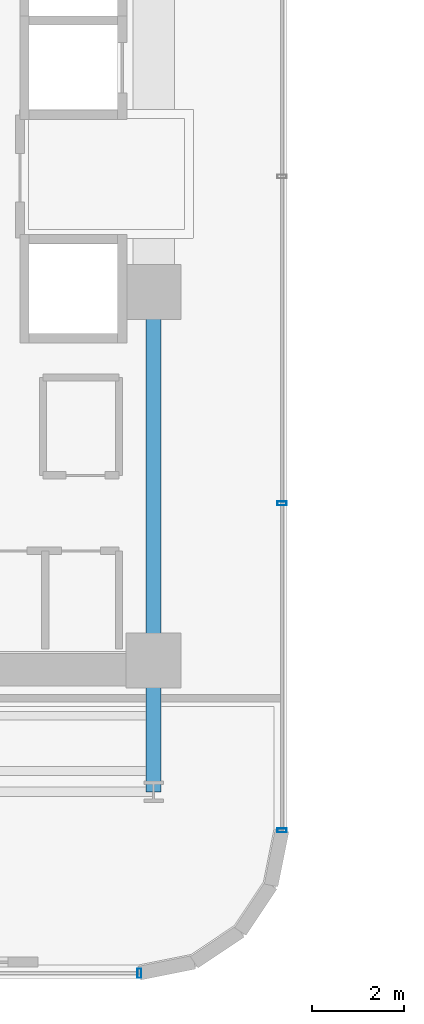
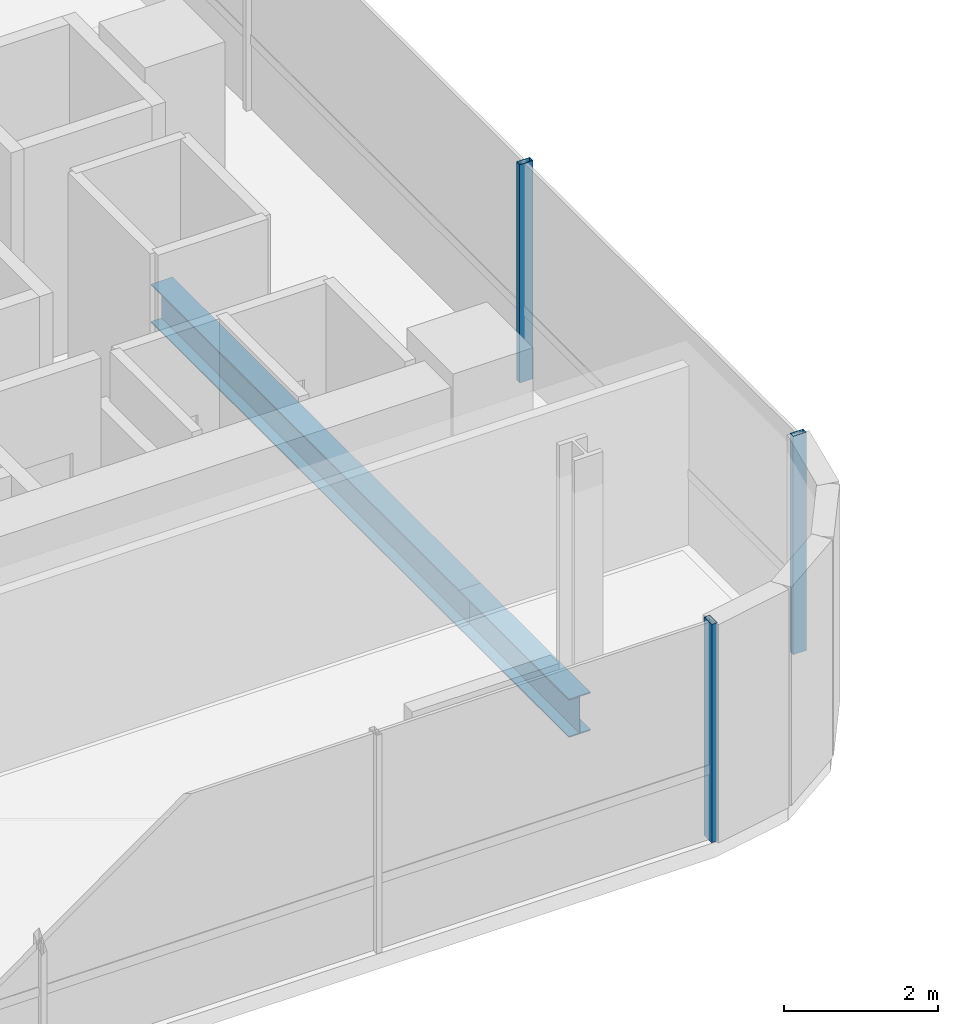
# One storey, part 5 of 36: 3 members, 2 beams, 2 elements without a shape of their own.
"""IFC4 building model written with IfcOpenShell, lengths in metres."""

from ifc_helpers import new_model, si_unit, direction, frame, origin, origin_2d, place, context, subcontext, project, spatial, hollow_rectangle, i_section, extrude, source, transform, mapped, material, material_profile, profile_set, type_object, element, aggregate, save


model = new_model("IFC4")

# Units and contexts
model_context = context("Model", 3, precision=1e-05, world=origin(), true_north=direction((0.0, 1.0)))
body_context = subcontext(model_context, "Body", "Model", "MODEL_VIEW")
ifc_project = project(units=[si_unit("LENGTHUNIT", "METRE"), si_unit("AREAUNIT", "SQUARE_METRE"), si_unit("VOLUMEUNIT", "CUBIC_METRE"), si_unit("PLANEANGLEUNIT", "RADIAN"), si_unit("MASSUNIT", "GRAM", prefix="KILO")], contexts=[model_context])

# Site, building, storey
site_placement = place(None, origin())
site = spatial("IfcSite", under=ifc_project, at=site_placement, CompositionType="ELEMENT")
building_placement = place(site_placement, origin())
building = spatial("IfcBuilding", under=site, at=building_placement, Name="Valdorenza Pilgrim Sanctuary Tower", CompositionType="ELEMENT")
storey_placement = place(building_placement, frame((0.0, 0.0, 109.39990234375)))
storey = spatial("IfcBuildingStorey", under=building, at=storey_placement, Name="L27", CompositionType="ELEMENT", Elevation=109.39990234375)

# Beams
ifc_material_1 = material(Name="Steel ASTM A992 Grade 50", Category="steel")
ifc_material_profile_1 = material_profile(ifc_material_1, i_section(OverallWidth=0.323974609375, OverallDepth=0.611083984375, WebThickness=0.0126953125, FlangeThickness=0.01904296875, at=origin_2d()), Name="W24X104")
ifc_profile_set_1 = profile_set([ifc_material_profile_1], Name="Steel ASTM A992 Grade 50")
beam_type = type_object("IfcBeamType", Name="STR-BM-GRD-W24B", PredefinedType="BEAM", material=ifc_profile_set_1)
shared_shape_1 = source(origin(), body_context, "Body", "SweptSolid", [
    extrude(i_section(OverallWidth=0.323974609375, OverallDepth=0.611083984375, WebThickness=0.0126953125, FlangeThickness=0.01904296875, at=origin_2d()), origin(), (0.0, 0.0, 1.0), 8.0),
])
beam_1_placement = place(storey_placement, frame((-12.39990234375, -10.60009765625, -0.54541015625), z_axis=(0.0, 1.0, 0.0), x_axis=(-1.0, 0.0, 0.0)))
element("IfcBeam", 1, at=beam_1_placement, inside=storey, type_object=beam_type, Name="L27 Core Tie Girder CA-E-S1M0", PredefinedType="BEAM", context=body_context, shape_type="MappedRepresentation", body=[
    mapped(shared_shape_1, transform((0.0, 0.0, 0.0), x_axis=(1.0, 0.0, 0.0), y_axis=(0.0, 1.0, 0.0), z_axis=(0.0, 0.0, 1.0), scale=1.0)),
])
shared_shape_2 = source(origin(), body_context, "Body", "SweptSolid", [
    extrude(i_section(OverallWidth=0.323974609375, OverallDepth=0.611083984375, WebThickness=0.0126953125, FlangeThickness=0.01904296875, at=origin_2d()), origin(), (0.0, 0.0, 1.0), 2.849853515625),
])
beam_2_placement = place(storey_placement, frame((-12.39990234375, -13.449951171875, -0.54541015625), z_axis=(0.0, 1.0, 0.0), x_axis=(-1.0, 0.0, 0.0)))
element("IfcBeam", 2, at=beam_2_placement, inside=storey, type_object=beam_type, Name="L27 Floor Girder WA-S-LE", PredefinedType="BEAM", context=body_context, shape_type="MappedRepresentation", body=[
    mapped(shared_shape_2, transform((0.0, 0.0, 0.0), x_axis=(1.0, 0.0, 0.0), y_axis=(0.0, 1.0, 0.0), z_axis=(0.0, 0.0, 1.0), scale=1.0)),
])

# Curtain wall, members
ifc_material_2 = material(Name="Curtain-wall IGU glazing", Category="glass")
curtain_wall_type = type_object("IfcCurtainWallType", Name="CW-SYS-02", PredefinedType="NOTDEFINED", material=ifc_material_2)
curtain_wall_1_placement = place(storey_placement, origin())
curtain_wall_1 = element("IfcCurtainWall", 3, at=curtain_wall_1_placement, inside=storey, type_object=curtain_wall_type, Name="L27 Curtain Wall CW-L27-1-41", PredefinedType="NOTDEFINED")
ifc_material_3 = material(Name="Anodised aluminium AW-6060", Category="aluminium")
ifc_material_profile_2 = material_profile(ifc_material_3, hollow_rectangle(XDim=0.0849609375, YDim=0.199951171875, WallThickness=0.0048828125, at=origin_2d()), Name="ALU-M 200x85x5")
ifc_profile_set_2 = profile_set([ifc_material_profile_2], Name="Anodised aluminium AW-6060")
member_type = type_object("IfcMemberType", Name="CW-MUL-02", PredefinedType="MULLION", material=ifc_profile_set_2)
shared_shape_3 = source(origin(), body_context, "Body", "SweptSolid", [
    extrude(hollow_rectangle(XDim=0.0849609375, YDim=0.199951171875, WallThickness=0.0048828125, at=origin_2d()), origin(), (0.0, 0.0, 1.0), 3.460205078125),
])
member_1_placement = place(storey_placement, frame((-9.610107421875, -7.189208984375, 0.0), z_axis=(0.0, 0.0, 1.0), x_axis=(0.0, -1.0, 0.0)))
member_1 = element("IfcMember", 4, at=member_1_placement, type_object=member_type, Name="CW-L27-1-41 Mullion 3", PredefinedType="MULLION", context=body_context, shape_type="MappedRepresentation", body=[
    mapped(shared_shape_3, transform((0.0, 0.0, 0.0), x_axis=(1.0, 0.0, 0.0), y_axis=(0.0, 1.0, 0.0), z_axis=(0.0, 0.0, 1.0), scale=1.0)),
])
member_2_placement = place(storey_placement, frame((-9.610107421875, -14.289306640625, 0.0), z_axis=(0.0, 0.0, 1.0), x_axis=(0.0, -1.0, 0.0)))
member_2 = element("IfcMember", 5, at=member_2_placement, type_object=member_type, Name="CW-L27-1-41 Mullion 4", PredefinedType="MULLION", context=body_context, shape_type="MappedRepresentation", body=[
    mapped(shared_shape_3, transform((0.0, 0.0, 0.0), x_axis=(1.0, 0.0, 0.0), y_axis=(0.0, 1.0, 0.0), z_axis=(0.0, 0.0, 1.0), scale=1.0)),
])
aggregate(curtain_wall_1, [member_1, member_2])

# Curtain wall, member
curtain_wall_2_placement = place(storey_placement, origin())
curtain_wall_2 = element("IfcCurtainWall", 6, at=curtain_wall_2_placement, inside=storey, type_object=curtain_wall_type, Name="L27 Curtain Wall CW-L27-1-46", PredefinedType="NOTDEFINED")
member_3_placement = place(storey_placement, frame((-12.710693359375, -17.389892578125, 0.0), z_axis=(0.0, 0.0, 1.0), x_axis=(-1.0, 0.0, 0.0)))
member_3 = element("IfcMember", 7, at=member_3_placement, type_object=member_type, Name="CW-L27-1-46 Mullion 1", PredefinedType="MULLION", context=body_context, shape_type="MappedRepresentation", body=[
    mapped(shared_shape_3, transform((0.0, 0.0, 0.0), x_axis=(1.0, 0.0, 0.0), y_axis=(0.0, 1.0, 0.0), z_axis=(0.0, 0.0, 1.0), scale=1.0)),
])
aggregate(curtain_wall_2, [member_3])

save(model, "model.ifc")
